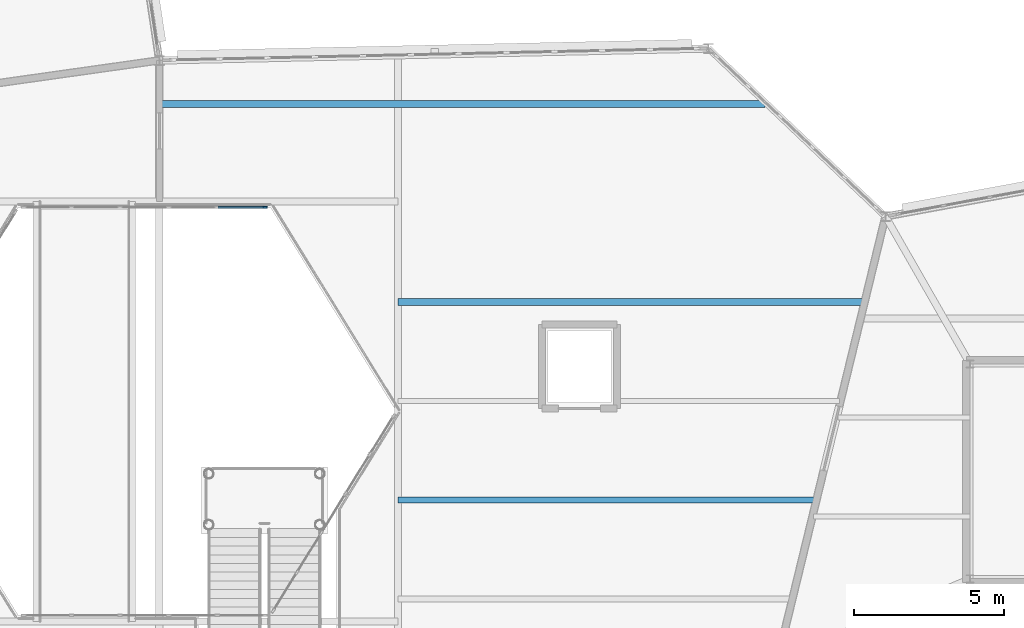
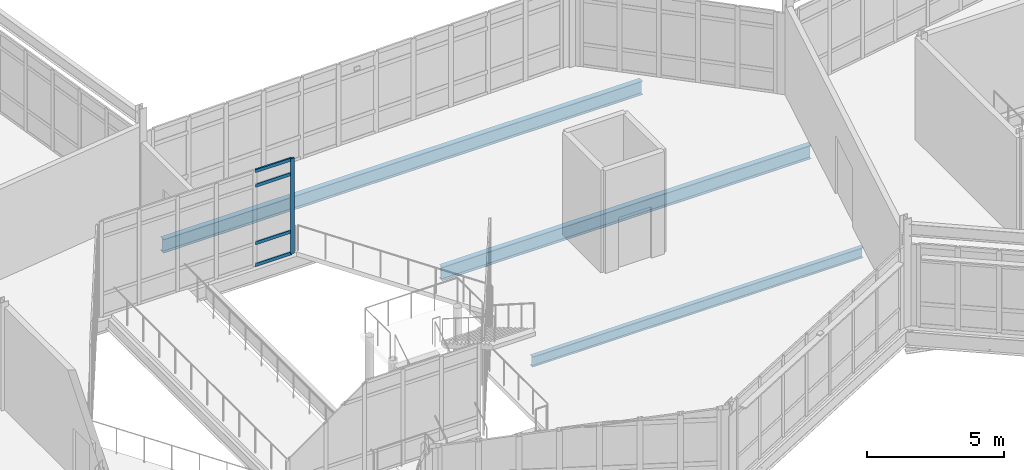
# One storey, part 25 of 76: 5 members, 3 beams, 1 element without a shape of its own.
"""IFC4 building model written with IfcOpenShell, lengths in metres."""

from ifc_helpers import new_model, si_unit, direction, frame, origin, origin_2d, place, context, subcontext, project, spatial, rectangle, i_section, extrude, material, material_profile, profile_set, type_object, element, aggregate, save


model = new_model("IFC4")

# Units and contexts
model_context = context("Model", 3, precision=1e-05, world=origin(), true_north=direction((0.0, 1.0)))
body_context = subcontext(model_context, "Body", "Model", "MODEL_VIEW")
ifc_project = project(units=[si_unit("LENGTHUNIT", "METRE"), si_unit("AREAUNIT", "SQUARE_METRE"), si_unit("VOLUMEUNIT", "CUBIC_METRE"), si_unit("PLANEANGLEUNIT", "RADIAN"), si_unit("MASSUNIT", "GRAM", prefix="KILO")], contexts=[model_context])

# Site, building, storey
site_placement = place(None, origin())
site = spatial("IfcSite", under=ifc_project, at=site_placement, CompositionType="ELEMENT")
building_placement = place(site_placement, origin())
building = spatial("IfcBuilding", under=site, at=building_placement, Name="Tameran Prism Museum", CompositionType="ELEMENT")
storey_placement = place(building_placement, frame((0.0, 0.0, 15.0)))
storey = spatial("IfcBuildingStorey", under=building, at=storey_placement, Name="L03", CompositionType="ELEMENT", Elevation=15.0)

# Beams
ifc_material_1 = material(Name="Steel Grade 300PLUS (300 MPa)", Category="steel")
ifc_material_profile_1 = material_profile(ifc_material_1, i_section(OverallWidth=0.18994140625, OverallDepth=0.4541015625, WebThickness=0.008544921875, FlangeThickness=0.0126953125, FilletRadius=0.011474609375, at=origin_2d()))
ifc_profile_set_1 = profile_set([ifc_material_profile_1])
beam_type_1 = type_object("IfcBeamType", Name="BM-J460B", PredefinedType="JOIST", material=ifc_profile_set_1)
beam_1_placement = place(storey_placement, frame((85.449951171875, 33.550048828125, -0.427001953125), z_axis=(1.0, 0.0, 0.0), x_axis=(0.0, 1.0, 0.0)))
element("IfcBeam", 1, at=beam_1_placement, inside=storey, type_object=beam_type_1, Name="Floor Beam BM-1089", PredefinedType="JOIST", context=body_context, shape_type="SweptSolid", body=[
    extrude(i_section(OverallWidth=0.18994140625, OverallDepth=0.4541015625, WebThickness=0.008544921875, FlangeThickness=0.0126953125, FilletRadius=0.011474609375, at=origin_2d()), origin(), (0.0, 0.0, 1.0), 13.91015625),
])
ifc_material_2 = material(Name="Steel Grade 300PLUS (300 MPa)", Category="steel")
ifc_material_profile_2 = material_profile(ifc_material_2, i_section(OverallWidth=0.22802734375, OverallDepth=0.60693359375, WebThickness=0.01123046875, FlangeThickness=0.017333984375, FilletRadius=0.013916015625, at=origin_2d()))
ifc_profile_set_2 = profile_set([ifc_material_profile_2])
beam_type_2 = type_object("IfcBeamType", Name="BM-UB610B", PredefinedType="BEAM", material=ifc_profile_set_2)
beam_2_placement = place(storey_placement, frame((85.449951171875, 40.14990234375, -0.50341796875), z_axis=(1.0, 0.0, 0.0), x_axis=(0.0, 1.0, 0.0)))
element("IfcBeam", 2, at=beam_2_placement, inside=storey, type_object=beam_type_2, Name="Floor Beam BM-1092", PredefinedType="BEAM", context=body_context, shape_type="SweptSolid", body=[
    extrude(i_section(OverallWidth=0.22802734375, OverallDepth=0.60693359375, WebThickness=0.01123046875, FlangeThickness=0.017333984375, FilletRadius=0.013916015625, at=origin_2d()), origin(), (0.0, 0.0, 1.0), 15.51611328125),
])
beam_3_placement = place(storey_placement, frame((77.5400390625, 46.75, -0.50341796875), z_axis=(1.0, 0.0, 0.0), x_axis=(0.0, 1.0, 0.0)))
element("IfcBeam", 3, at=beam_3_placement, inside=storey, type_object=beam_type_2, Name="Floor Beam BM-1093", PredefinedType="BEAM", context=body_context, shape_type="SweptSolid", body=[
    extrude(i_section(OverallWidth=0.22802734375, OverallDepth=0.60693359375, WebThickness=0.01123046875, FlangeThickness=0.017333984375, FilletRadius=0.013916015625, at=origin_2d()), origin(), (0.0, 0.0, 1.0), 20.15087890625),
])

# Curtain wall, members
ifc_material_3 = material(Name="Anodised Aluminium 6063-T6 and Cyclone Solar Glass", Category="aluminium")
curtain_wall_type = type_object("IfcCurtainWallType", Name="CW-ATR-810x424", PredefinedType="USERDEFINED", material=ifc_material_3)
curtain_wall_placement = place(storey_placement, origin())
curtain_wall = element("IfcCurtainWall", 4, at=curtain_wall_placement, inside=storey, type_object=curtain_wall_type, Name="Unitised Curtain Wall CW-013", ObjectType="UNITISED CURTAIN WALL", PredefinedType="USERDEFINED")
ifc_material_4 = material(Name="Anodised Aluminium Alloy 6063-T6", Category="aluminium")
ifc_material_profile_3 = material_profile(ifc_material_4, rectangle(XDim=0.06494140625, YDim=0.159912109375, at=origin_2d()))
ifc_profile_set_3 = profile_set([ifc_material_profile_3])
member_type_1 = type_object("IfcMemberType", Name="CW-MUL-A", PredefinedType="MULLION", material=ifc_profile_set_3)
member_1_placement = place(storey_placement, frame((81.017578125, 43.300048828125, 0.0), z_axis=(0.0, 0.0, 1.0), x_axis=(0.0, -1.0, 0.0)))
member_1 = element("IfcMember", 5, at=member_1_placement, type_object=member_type_1, Name="CW-013 mullion 1", PredefinedType="MULLION", context=body_context, shape_type="SweptSolid", body=[
    extrude(rectangle(XDim=0.06494140625, YDim=0.159912109375, at=origin_2d()), origin(), (0.0, 0.0, 1.0), 4.239990234375),
])
ifc_material_5 = material(Name="Anodised Aluminium Alloy 6063-T6", Category="aluminium")
ifc_material_profile_4 = material_profile(ifc_material_5, rectangle(XDim=0.06494140625, YDim=0.139892578125, at=origin_2d()))
ifc_profile_set_4 = profile_set([ifc_material_profile_4])
member_type_2 = type_object("IfcMemberType", Name="CW-TRN-A", PredefinedType="USERDEFINED", material=ifc_profile_set_4)
member_2_placement = place(storey_placement, frame((80.985107421875, 43.300048828125, 0.032470703125), z_axis=(-1.0, 0.0, 0.0), x_axis=(0.0, -1.0, 0.0)))
member_2 = element("IfcMember", 6, at=member_2_placement, type_object=member_type_2, Name="CW-013 transom 1.1", ObjectType="TRANSOM", PredefinedType="USERDEFINED", context=body_context, shape_type="SweptSolid", body=[
    extrude(rectangle(XDim=0.06494140625, YDim=0.139892578125, at=origin_2d()), origin(), (0.0, 0.0, 1.0), 1.522705078125),
])
member_3_placement = place(storey_placement, frame((80.985107421875, 43.300048828125, 1.0), z_axis=(-1.0, 0.0, 0.0), x_axis=(0.0, -1.0, 0.0)))
member_3 = element("IfcMember", 7, at=member_3_placement, type_object=member_type_2, Name="CW-013 transom 1.2", ObjectType="TRANSOM", PredefinedType="USERDEFINED", context=body_context, shape_type="SweptSolid", body=[
    extrude(rectangle(XDim=0.06494140625, YDim=0.139892578125, at=origin_2d()), origin(), (0.0, 0.0, 1.0), 1.522705078125),
])
member_4_placement = place(storey_placement, frame((80.985107421875, 43.300048828125, 3.56005859375), z_axis=(-1.0, 0.0, 0.0), x_axis=(0.0, -1.0, 0.0)))
member_4 = element("IfcMember", 8, at=member_4_placement, type_object=member_type_2, Name="CW-013 transom 1.3", ObjectType="TRANSOM", PredefinedType="USERDEFINED", context=body_context, shape_type="SweptSolid", body=[
    extrude(rectangle(XDim=0.06494140625, YDim=0.139892578125, at=origin_2d()), origin(), (0.0, 0.0, 1.0), 1.522705078125),
])
member_5_placement = place(storey_placement, frame((80.985107421875, 43.300048828125, 4.20751953125), z_axis=(-1.0, 0.0, 0.0), x_axis=(0.0, -1.0, 0.0)))
member_5 = element("IfcMember", 9, at=member_5_placement, type_object=member_type_2, Name="CW-013 transom 1.4", ObjectType="TRANSOM", PredefinedType="USERDEFINED", context=body_context, shape_type="SweptSolid", body=[
    extrude(rectangle(XDim=0.06494140625, YDim=0.139892578125, at=origin_2d()), origin(), (0.0, 0.0, 1.0), 1.522705078125),
])
aggregate(curtain_wall, [member_1, member_2, member_3, member_4, member_5])

save(model, "model.ifc")
